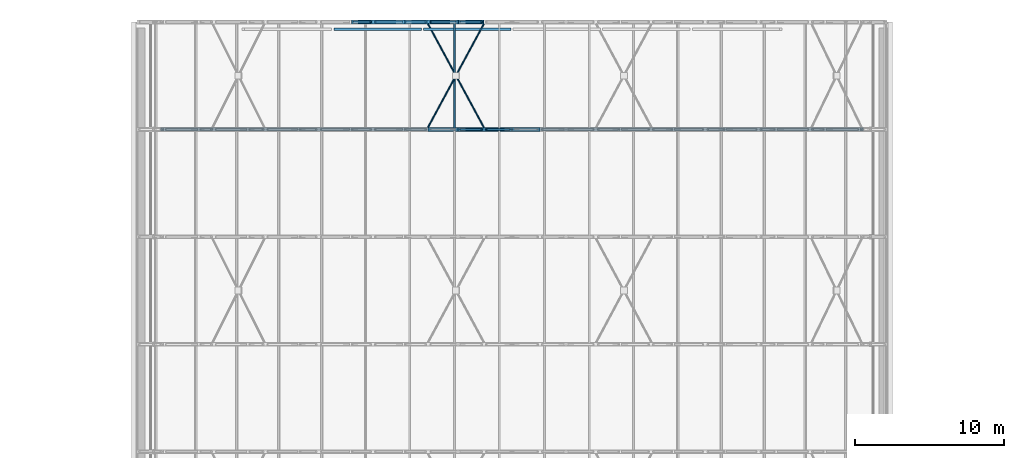
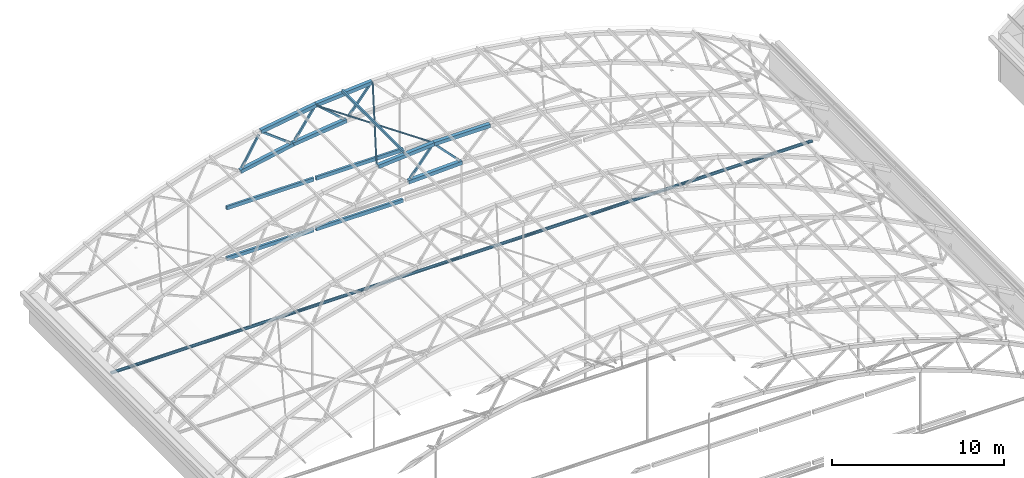
# One storey, part 28 of 127: 19 members, 4 beams.
"""IFC4 building model written with IfcOpenShell, lengths in metres."""

import ifcopenshell
import ifcopenshell.guid

model = None  # the IFC model being written
_history = None  # IfcOwnerHistory: only IFC2X3 demands one
_inside = {}  # id of a spatial element -> (the spatial element, [elements in it])
_under = {}  # id of a project, library or spatial element -> (it, [spatial elements below it])
_declared = {}  # id of a project -> (the project, [libraries it declares])
_typed = {}  # id of a type object -> (the type object, [elements of that type])
_made_of = {}  # id of a material, layer set ... -> (it, [elements and type objects made of it])


def new_model(schema):
    """Start an empty IFC model of exactly this schema.

    Asked for "IFC4X3", IfcOpenShell would pick the latest addendum, in which some entities
    have other attributes; the version numbers below select the first issue.
    IFC2X3 requires an IfcOwnerHistory on every rooted entity: one is made here for all.
    """
    global model, _history
    if schema == "IFC4X3":
        model = ifcopenshell.file(schema_version=(4, 3, 0, 0))
    else:
        model = ifcopenshell.file(schema=schema)
    _inside.clear()
    _under.clear()
    _declared.clear()
    _typed.clear()
    _made_of.clear()
    _history = None
    if model.schema == "IFC2X3":
        org = make("IfcOrganization", Name="unknown")
        user = make(
            "IfcPersonAndOrganization",
            ThePerson=make("IfcPerson", FamilyName="unknown"),
            TheOrganization=org,
        )
        app = make(
            "IfcApplication",
            ApplicationDeveloper=org,
            Version="unknown",
            ApplicationFullName="unknown",
            ApplicationIdentifier="unknown",
        )
        _history = make(
            "IfcOwnerHistory",
            OwningUser=user,
            OwningApplication=app,
            ChangeAction="ADDED",
            CreationDate=0,
        )
    return model


def make(cls, **values):
    """One entity of the class cls with the attributes given. An attribute that is None is left unset."""
    return model.create_entity(
        cls, **{name: value for name, value in values.items() if value is not None}
    )


def rooted(cls, **values):
    """An entity with a GlobalId (a new one), such as an element, a storey or a relation."""
    return make(cls, GlobalId=ifcopenshell.guid.new(), OwnerHistory=_history, **values)


def si_unit(unit_type, name, prefix=None):
    """IfcSIUnit, for example si_unit("LENGTHUNIT", "METRE", prefix="MILLI")."""
    return make("IfcSIUnit", UnitType=unit_type, Prefix=prefix, Name=name)


def assignment(units):
    """IfcUnitAssignment: the units of a project."""
    return None if units is None else make("IfcUnitAssignment", Units=units)


def point(xyz):
    """IfcCartesianPoint."""
    return None if xyz is None else make("IfcCartesianPoint", Coordinates=xyz)


def direction(xyz):
    """IfcDirection."""
    return None if xyz is None else make("IfcDirection", DirectionRatios=xyz)


def frame(location, z_axis=None, x_axis=None):
    """IfcAxis2Placement3D, a coordinate frame: its origin and axes. An axis left out is left unset."""
    return make(
        "IfcAxis2Placement3D",
        Location=point(location),
        Axis=direction(z_axis),
        RefDirection=direction(x_axis),
    )


def frame_2d(location, x_axis=None):
    """IfcAxis2Placement2D, a coordinate frame in the plane: its origin and x axis."""
    return make(
        "IfcAxis2Placement2D", Location=point(location), RefDirection=direction(x_axis)
    )


def origin():
    """The frame at (0, 0, 0) with its axes left unset."""
    return frame((0.0, 0.0, 0.0))


def origin_2d():
    """The frame at (0, 0) in the plane with its x axis left unset."""
    return frame_2d((0.0, 0.0))


def place(relative_to, where):
    """IfcLocalPlacement: puts the frame where relative to a parent placement (None: the world)."""
    return make(
        "IfcLocalPlacement", PlacementRelTo=relative_to, RelativePlacement=where
    )


def context(
    kind, dimensions, precision=None, world=None, true_north=None, identifier=None
):
    """IfcGeometricRepresentationContext, for example the 3D "Model" context."""
    return make(
        "IfcGeometricRepresentationContext",
        ContextIdentifier=identifier,
        ContextType=kind,
        CoordinateSpaceDimension=dimensions,
        Precision=precision,
        WorldCoordinateSystem=world,
        TrueNorth=true_north,
    )


def subcontext(parent, identifier, kind, view, scale=None):
    """IfcGeometricRepresentationSubContext, for example "Body" below "Model"."""
    return make(
        "IfcGeometricRepresentationSubContext",
        ContextIdentifier=identifier,
        ContextType=kind,
        ParentContext=parent,
        TargetScale=scale,
        TargetView=view,
    )


def project(units=None, contexts=None):
    """IfcProject with its units and contexts."""
    return rooted(
        "IfcProject",
        Name="project",
        RepresentationContexts=contexts,
        UnitsInContext=assignment(units),
    )


def spatial(cls, under=None, at=None, **own):
    """A site, building, storey or space (cls), placed at a placement, below another one or the project."""
    s = rooted(cls, ObjectPlacement=at, **own)
    if under is not None:
        _under.setdefault(under.id(), (under, []))[1].append(s)
    return s


def profile(cls, at=None, kind="AREA", **sizes):
    """A parametric profile (cls). Its sizes go by their IFC names, for example OverallWidth=200.0."""
    return make(cls, ProfileType=kind, Position=at, **sizes)


def hollow_rectangle(**sizes):
    """IfcRectangleHollowProfileDef."""
    return profile("IfcRectangleHollowProfileDef", **sizes)


def hollow_circle(**sizes):
    """IfcCircleHollowProfileDef."""
    return profile("IfcCircleHollowProfileDef", **sizes)


def extrude(swept, where, along, depth):
    """IfcExtrudedAreaSolid: the profile swept, set in the frame where, extruded along a direction by depth."""
    return make(
        "IfcExtrudedAreaSolid",
        SweptArea=swept,
        Position=where,
        ExtrudedDirection=direction(along),
        Depth=depth,
    )


def shape(context_of_items, identifier, shape_type, items):
    """IfcShapeRepresentation: the items that make up one representation, for example the "Body"."""
    return make(
        "IfcShapeRepresentation",
        ContextOfItems=context_of_items,
        RepresentationIdentifier=identifier,
        RepresentationType=shape_type,
        Items=items,
    )


def material(Name=None, Category=None):
    """IfcMaterial."""
    return make("IfcMaterial", Name=Name, Category=Category)


def material_profile(
    of_material, cross_section, Name=None, Category=None, Priority=None
):
    """IfcMaterialProfile: a cross section and its material."""
    return make(
        "IfcMaterialProfile",
        Name=Name,
        Material=of_material,
        Profile=cross_section,
        Priority=Priority,
        Category=Category,
    )


def profile_set(profiles, Name=None, composite=None):
    """IfcMaterialProfileSet."""
    return make(
        "IfcMaterialProfileSet",
        Name=Name,
        MaterialProfiles=profiles,
        CompositeProfile=composite,
    )


def made_of(thing, what):
    """Note that an element or type object is made of a material, layer set ...; save() writes the relation."""
    if what is not None:
        _made_of.setdefault(what.id(), (what, []))[1].append(thing)
    return thing


def type_object(cls, material=None, **own):
    """A type object (cls), such as IfcWallType, which elements share."""
    return made_of(rooted(cls, **own), material)


def element(
    cls,
    number,
    at=None,
    inside=None,
    cuts=None,
    type_object=None,
    material=None,
    context=None,
    identifier="Body",
    shape_type=None,
    held_by="IfcProductDefinitionShape",
    body=None,
    shapes=None,
    **own,
):
    """One element of the class cls, such as IfcWall. Its Tag is "e" and its number.

    at: its placement. inside: the storey or other place that contains it. cuts: it is an
    opening in that element (IfcRelVoidsElement). A single representation is given by context,
    identifier, shape_type and body (its items); several are given by shapes. held_by: the class
    of the entity that holds the representations. save() writes the other relations.
    """
    e = rooted(cls, Tag="e%d" % number, ObjectPlacement=at, **own)
    if body is not None:
        shapes = [shape(context, identifier, shape_type, body)]
    if shapes is not None:
        e.Representation = make(held_by, Representations=shapes)
    if inside is not None:
        _inside.setdefault(inside.id(), (inside, []))[1].append(e)
    if cuts is not None:
        rooted(
            "IfcRelVoidsElement", RelatingBuildingElement=cuts, RelatedOpeningElement=e
        )
    if type_object is not None:
        _typed.setdefault(type_object.id(), (type_object, []))[1].append(e)
    return made_of(e, material)


def aggregate(whole, parts):
    """IfcRelAggregates: a whole, such as a stair, and the parts it consists of."""
    return rooted("IfcRelAggregates", RelatingObject=whole, RelatedObjects=parts)


def save(model, path):
    """Write the relations noted so far, then the file.

    IfcRelAggregates (storeys below a building ...), IfcRelContainedInSpatialStructure (elements
    in a storey), IfcRelDefinesByType, IfcRelAssociatesMaterial and IfcRelDeclares: one each for
    every whole, place, type object, material and project.
    """
    for whole, parts in _under.values():
        aggregate(whole, parts)
    for where, things in _inside.values():
        rooted(
            "IfcRelContainedInSpatialStructure",
            RelatedElements=things,
            RelatingStructure=where,
        )
    for kind, things in _typed.values():
        rooted("IfcRelDefinesByType", RelatedObjects=things, RelatingType=kind)
    for what, things in _made_of.values():
        rooted("IfcRelAssociatesMaterial", RelatedObjects=things, RelatingMaterial=what)
    for by, libraries in _declared.values():
        rooted("IfcRelDeclares", RelatingContext=by, RelatedDefinitions=libraries)
    model.write(path)


model = new_model("IFC4")

# Units and contexts
model_context = context("Model", 3, precision=1e-05, world=origin(), true_north=direction((0.0, 1.0)))
body_context = subcontext(model_context, "Body", "Model", "MODEL_VIEW")
ifc_project = project(units=[si_unit("LENGTHUNIT", "METRE"), si_unit("AREAUNIT", "SQUARE_METRE"), si_unit("VOLUMEUNIT", "CUBIC_METRE"), si_unit("PLANEANGLEUNIT", "RADIAN"), si_unit("MASSUNIT", "GRAM", prefix="KILO")], contexts=[model_context])

# Site, building, storey
site_placement = place(None, origin())
site = spatial("IfcSite", under=ifc_project, at=site_placement, CompositionType="ELEMENT")
building_placement = place(site_placement, origin())
building = spatial("IfcBuilding", under=site, at=building_placement, Name="Verrick Yard Athletic Hall", CompositionType="ELEMENT")
storey_placement = place(building_placement, frame((0.0, 0.0, 14.0)))
storey = spatial("IfcBuildingStorey", under=building, at=storey_placement, Name="L03", CompositionType="ELEMENT", Elevation=14.0)

# Members
ifc_material = material(Name="Structural steel HSS Class C 350W (CSA G40.20/G40.21)", Category="steel")
ifc_material_profile_1 = material_profile(ifc_material, hollow_rectangle(XDim=0.25390625, YDim=0.25390625, WallThickness=0.009521484375, at=origin_2d()), Name="HSS254x254x9.5")
ifc_profile_set_1 = profile_set([ifc_material_profile_1], Name="Structural steel HSS Class C 350W (CSA G40.20/G40.21)")
member_type_1 = type_object("IfcMemberType", Name="HB bottom chord HSS254x254x9.5", PredefinedType="CHORD", material=ifc_profile_set_1)
for number, where, z_axis, x_axis, name in (
    (1, (48.401611328125, 100.800048828125, 6.615966796875), (0.999229864493, 0.0, 0.039238729647), (0.0, 1.0, 0.0), "Truss TB5 bottom chord 7"),
    (2, (41.283447265625, 108.0, 5.4912109375), (0.980848695375, 0.0, 0.194771242181), (0.0, 1.0, 0.0), "Truss TB6 bottom chord 5"),
    (3, (44.820556640625, 108.0, 6.193359375), (0.993094882284, 0.0, 0.117313915545), (0.0, 1.0, 0.0), "Truss TB6 bottom chord 6"),
):
    element("IfcMember", number, at=place(storey_placement, frame(where, z_axis=z_axis, x_axis=x_axis)), inside=storey, type_object=member_type_1, Name=name, PredefinedType="CHORD", context=body_context, shape_type="SweptSolid", body=[
        extrude(hollow_rectangle(XDim=0.25390625, YDim=0.25390625, WallThickness=0.009521484375, at=origin_2d()), origin(), (0.0, 0.0, 1.0), 3.59619140625),
    ])
ifc_material_profile_2 = material_profile(ifc_material, hollow_rectangle(XDim=0.1015625, YDim=0.203125, WallThickness=0.009521484375, at=origin_2d()), Name="HSS203x102x9.5")
ifc_profile_set_2 = profile_set([ifc_material_profile_2], Name="Structural steel HSS Class C 350W (CSA G40.20/G40.21)")
member_type_2 = type_object("IfcMemberType", Name="HB purlin HSS203x102x9.5", PredefinedType="PURLIN", material=ifc_profile_set_2)
member_1_placement = place(storey_placement, frame((48.14794921875, 100.800048828125, 8.794677734375), z_axis=(0.0, 1.0, 0.0), x_axis=(-0.996927304266, 0.0, -0.078332305011)))
element("IfcMember", 4, at=member_1_placement, inside=storey, type_object=member_type_2, Name="HB-PU-B-5-8", PredefinedType="PURLIN", context=body_context, shape_type="SweptSolid", body=[
    extrude(hollow_rectangle(XDim=0.1015625, YDim=0.203125, WallThickness=0.009521484375, at=origin_2d()), origin(), (0.0, 0.0, 1.0), 7.199951171875),
])
ifc_material_profile_3 = material_profile(ifc_material, hollow_circle(Radius=0.05712890625, WallThickness=0.00634765625, at=origin_2d()), Name="HSS114x6.4")
ifc_profile_set_3 = profile_set([ifc_material_profile_3], Name="Structural steel HSS Class C 350W (CSA G40.20/G40.21)")
member_type_3 = type_object("IfcMemberType", Name="HB roof brace HSS114x6.4", PredefinedType="BRACE", material=ifc_profile_set_3)
member_2_placement = place(storey_placement, frame((46.3671875, 100.927001953125, 8.425537109375), z_axis=(0.474902233348, 0.87924865214, 0.037278364666), x_axis=(-0.879860225212, 0.475232557901, 0.0)))
element("IfcMember", 5, at=member_2_placement, inside=storey, type_object=member_type_3, Name="HB-BR-B-5-5b1", PredefinedType="BRACE", context=body_context, shape_type="SweptSolid", body=[
    extrude(hollow_circle(Radius=0.05712890625, WallThickness=0.00634765625, at=origin_2d()), origin(), (0.0, 0.0, 1.0), 3.84423828125),
])
member_3_placement = place(storey_placement, frame((48.29296875, 104.49267578125, 8.576904296875), z_axis=(0.474875716983, 0.879263061961, 0.037276283213), x_axis=(-0.879874576692, 0.475205986169, 0.0)))
element("IfcMember", 6, at=member_3_placement, inside=storey, type_object=member_type_3, Name="HB-BR-B-5-5b2", PredefinedType="BRACE", context=body_context, shape_type="SweptSolid", body=[
    extrude(hollow_circle(Radius=0.05712890625, WallThickness=0.00634765625, at=origin_2d()), origin(), (0.0, 0.0, 1.0), 3.844482421875),
])
member_4_placement = place(storey_placement, frame((50.11865234375, 100.927001953125, 8.72021484375), z_axis=(-0.474877095946, 0.879261242792, -0.03730161752), x_axis=(-0.879873588622, -0.47520781564, 0.0)))
element("IfcMember", 7, at=member_4_placement, inside=storey, type_object=member_type_3, Name="HB-BR-B-5-5a", PredefinedType="BRACE", context=body_context, shape_type="SweptSolid", body=[
    extrude(hollow_circle(Radius=0.05712890625, WallThickness=0.00634765625, at=origin_2d()), origin(), (0.0, 0.0, 1.0), 7.89990234375),
])
ifc_material_profile_4 = material_profile(ifc_material, hollow_circle(Radius=0.109619140625, WallThickness=0.0126953125, at=origin_2d()), Name="HSS219x13")
ifc_profile_set_4 = profile_set([ifc_material_profile_4], Name="Structural steel HSS Class C 350W (CSA G40.20/G40.21)")
member_type_4 = type_object("IfcMemberType", Name="HB tie rod HSS219x13", PredefinedType="MEMBER", material=ifc_profile_set_4)
member_5_placement = place(storey_placement, frame((28.456298828125, 100.800048828125, 0.0), z_axis=(1.0, 0.0, 0.0), x_axis=(0.0, 1.0, 0.0)))
element("IfcMember", 8, at=member_5_placement, inside=storey, type_object=member_type_4, Name="Truss TB5 tie 1", PredefinedType="MEMBER", context=body_context, shape_type="SweptSolid", body=[
    extrude(hollow_circle(Radius=0.109619140625, WallThickness=0.0126953125, at=origin_2d()), origin(), (0.0, 0.0, 1.0), 47.08740234375),
])
ifc_material_profile_5 = material_profile(ifc_material, hollow_rectangle(XDim=0.25390625, YDim=0.25390625, WallThickness=0.009521484375, at=origin_2d()), Name="HSS254x254x9.5")
ifc_profile_set_5 = profile_set([ifc_material_profile_5], Name="Structural steel HSS Class C 350W (CSA G40.20/G40.21)")
member_type_5 = type_object("IfcMemberType", Name="HB top chord HSS254x254x9.5", PredefinedType="CHORD", material=ifc_profile_set_5)
member_6_placement = place(storey_placement, frame((46.372314453125, 100.800048828125, 8.426025390625), z_axis=(0.99692762922, 0.0, 0.07832816925), x_axis=(0.0, 1.0, 0.0)))
element("IfcMember", 9, at=member_6_placement, inside=storey, type_object=member_type_5, Name="Truss TB5 top chord 7", PredefinedType="CHORD", context=body_context, shape_type="SweptSolid", body=[
    extrude(hollow_rectangle(XDim=0.25390625, YDim=0.25390625, WallThickness=0.009521484375, at=origin_2d()), origin(), (0.0, 0.0, 1.0), 3.752685546875),
])
for number, where, z_axis, x_axis, name in (
    (10, (50.12353515625, 100.800048828125, 8.72021484375), (1.0, 0.0, 0.0), (0.0, 1.0, 0.0), "Truss TB5 top chord 8"),
    (11, (42.655517578125, 108.0, 7.838623046875), (0.987726014692, 0.0, 0.156196414495), (0.0, 1.0, 0.0), "Truss TB6 top chord 6"),
):
    element("IfcMember", number, at=place(storey_placement, frame(where, z_axis=z_axis, x_axis=x_axis)), inside=storey, type_object=member_type_5, Name=name, PredefinedType="CHORD", context=body_context, shape_type="SweptSolid", body=[
        extrude(hollow_rectangle(XDim=0.25390625, YDim=0.25390625, WallThickness=0.009521484375, at=origin_2d()), origin(), (0.0, 0.0, 1.0), 3.7529296875),
    ])
member_7_placement = place(storey_placement, frame((46.372314453125, 108.0, 8.426025390625), z_axis=(0.99692762922, 0.0, 0.07832816925), x_axis=(0.0, 1.0, 0.0)))
element("IfcMember", 12, at=member_7_placement, inside=storey, type_object=member_type_5, Name="Truss TB6 top chord 7", PredefinedType="CHORD", context=body_context, shape_type="SweptSolid", body=[
    extrude(hollow_rectangle(XDim=0.25390625, YDim=0.25390625, WallThickness=0.009521484375, at=origin_2d()), origin(), (0.0, 0.0, 1.0), 3.752685546875),
])
ifc_material_profile_6 = material_profile(ifc_material, hollow_rectangle(XDim=0.126953125, YDim=0.126953125, WallThickness=0.009521484375, at=origin_2d()), Name="HSS127x127x9.5")
ifc_profile_set_6 = profile_set([ifc_material_profile_6], Name="Structural steel HSS Class C 350W (CSA G40.20/G40.21)")
member_type_6 = type_object("IfcMemberType", Name="HB truss web HSS127x127x9.5", PredefinedType="BRACE", material=ifc_profile_set_6)
member_8_placement = place(storey_placement, frame((48.55419921875, 100.800048828125, 6.808349609375), z_axis=(0.633267548908, 0.0, 0.773932950262), x_axis=(0.0, 1.0, 0.0)))
element("IfcMember", 13, at=member_8_placement, inside=storey, type_object=member_type_6, Name="Truss TB5 web 13", PredefinedType="BRACE", context=body_context, shape_type="SweptSolid", body=[
    extrude(hollow_rectangle(XDim=0.126953125, YDim=0.126953125, WallThickness=0.009521484375, at=origin_2d()), origin(), (0.0, 0.0, 1.0), 2.233642578125),
])
member_9_placement = place(storey_placement, frame((50.282470703125, 100.800048828125, 8.54931640625), z_axis=(0.691917233653, 0.0, -0.721976829112), x_axis=(0.0, 1.0, 0.0)))
element("IfcMember", 14, at=member_9_placement, inside=storey, type_object=member_type_6, Name="Truss TB5 web 14", PredefinedType="BRACE", context=body_context, shape_type="SweptSolid", body=[
    extrude(hollow_rectangle(XDim=0.126953125, YDim=0.126953125, WallThickness=0.009521484375, at=origin_2d()), origin(), (0.0, 0.0, 1.0), 2.2333984375),
])
member_10_placement = place(storey_placement, frame((41.404052734375, 108.0, 5.705078125), z_axis=(0.504625153938, 0.0, 0.863338551214), x_axis=(0.0, 1.0, 0.0)))
element("IfcMember", 15, at=member_10_placement, inside=storey, type_object=member_type_6, Name="Truss TB6 web 9", PredefinedType="BRACE", context=body_context, shape_type="SweptSolid", body=[
    extrude(hollow_rectangle(XDim=0.126953125, YDim=0.126953125, WallThickness=0.009521484375, at=origin_2d()), origin(), (0.0, 0.0, 1.0), 2.233642578125),
])
member_11_placement = place(storey_placement, frame((42.839111328125, 108.0, 7.694580078125), z_axis=(0.796206425538, 0.0, -0.605025063887), x_axis=(0.0, 1.0, 0.0)))
element("IfcMember", 16, at=member_11_placement, inside=storey, type_object=member_type_6, Name="Truss TB6 web 10", PredefinedType="BRACE", context=body_context, shape_type="SweptSolid", body=[
    extrude(hollow_rectangle(XDim=0.126953125, YDim=0.126953125, WallThickness=0.009521484375, at=origin_2d()), origin(), (0.0, 0.0, 1.0), 2.2333984375),
])
for number, where, z_axis, x_axis, name in (
    (17, (44.95751953125, 108.0, 6.39697265625), (0.570664111571, 0.0, 0.821183579819), (0.0, 1.0, 0.0), "Truss TB6 web 11"),
    (18, (46.5439453125, 108.0, 8.26806640625), (0.746389338881, 0.0, -0.66550954524), (0.0, 1.0, 0.0), "Truss TB6 web 12"),
    (19, (48.55419921875, 108.0, 6.808349609375), (0.633267548908, 0.0, 0.773932950262), (0.0, 1.0, 0.0), "Truss TB6 web 13"),
):
    element("IfcMember", number, at=place(storey_placement, frame(where, z_axis=z_axis, x_axis=x_axis)), inside=storey, type_object=member_type_6, Name=name, PredefinedType="BRACE", context=body_context, shape_type="SweptSolid", body=[
        extrude(hollow_rectangle(XDim=0.126953125, YDim=0.126953125, WallThickness=0.009521484375, at=origin_2d()), origin(), (0.0, 0.0, 1.0), 2.233642578125),
    ])

# Beams
ifc_material_profile_7 = material_profile(ifc_material, hollow_rectangle(XDim=0.15234375, YDim=0.25390625, WallThickness=0.009521484375, at=origin_2d()), Name="HSS254x152x9.5")
ifc_profile_set_7 = profile_set([ifc_material_profile_7], Name="Structural steel HSS Class C 350W (CSA G40.20/G40.21)")
beam_type = type_object("IfcBeamType", Name="HB wind girder HSS254x152x9.5", PredefinedType="BEAM", material=ifc_profile_set_7)
for number, where, z_axis, x_axis, name in (
    (20, (40.076171875, 107.50537109375, 0.0), (1.0, 0.0, 0.0), (0.0, 1.0, 0.0), "HB-WG-BN-140-2"),
    (21, (46.076171875, 107.50537109375, 0.0), (1.0, 0.0, 0.0), (0.0, 1.0, 0.0), "HB-WG-BN-140-3"),
    (22, (40.076171875, 107.50537109375, 3.60009765625), (1.0, 0.0, 0.0), (0.0, 1.0, 0.0), "HB-WG-BN-176-1"),
    (23, (46.076171875, 107.50537109375, 3.60009765625), (1.0, 0.0, 0.0), (0.0, 1.0, 0.0), "HB-WG-BN-176-2"),
):
    element("IfcBeam", number, at=place(storey_placement, frame(where, z_axis=z_axis, x_axis=x_axis)), inside=storey, type_object=beam_type, Name=name, PredefinedType="BEAM", context=body_context, shape_type="SweptSolid", body=[
        extrude(hollow_rectangle(XDim=0.15234375, YDim=0.25390625, WallThickness=0.009521484375, at=origin_2d()), origin(), (0.0, 0.0, 1.0), 5.84765625),
    ])

save(model, "model.ifc")
